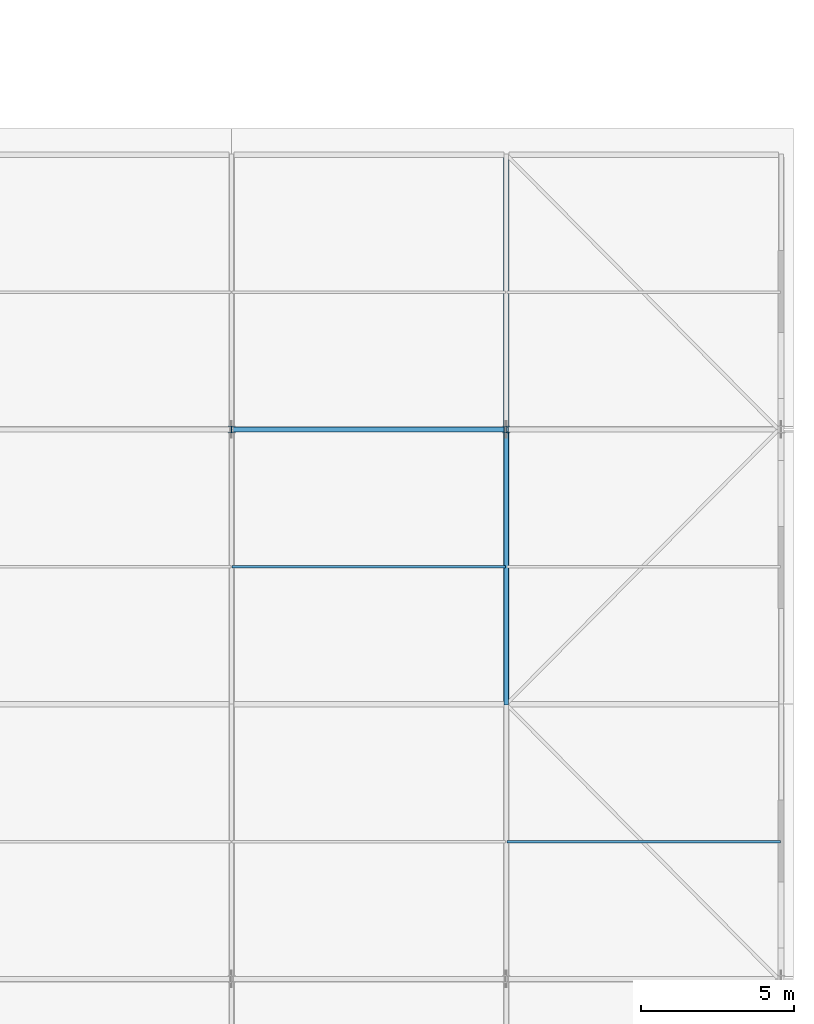
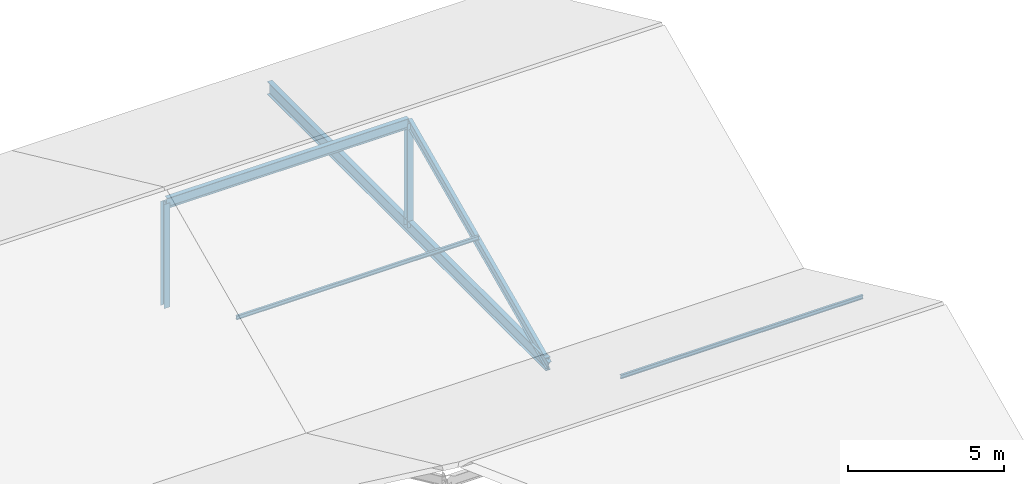
# One storey, part 88 of 163: 6 members, 1 beam.
"""IFC4 building model written with IfcOpenShell, lengths in metres."""

from ifc_helpers import new_model, si_unit, direction, frame, origin, origin_2d, place, context, subcontext, project, spatial, i_section, extrude, material, material_profile, profile_set, type_object, element, save


model = new_model("IFC4")

# Units and contexts
model_context = context("Model", 3, precision=1e-05, world=origin(), true_north=direction((0.0, 1.0)))
body_context = subcontext(model_context, "Body", "Model", "MODEL_VIEW")
ifc_project = project(units=[si_unit("LENGTHUNIT", "METRE"), si_unit("AREAUNIT", "SQUARE_METRE"), si_unit("VOLUMEUNIT", "CUBIC_METRE"), si_unit("PLANEANGLEUNIT", "RADIAN"), si_unit("MASSUNIT", "GRAM", prefix="KILO")], contexts=[model_context])

# Site, building, storey
site_placement = place(None, origin())
site = spatial("IfcSite", under=ifc_project, at=site_placement, CompositionType="ELEMENT")
building_placement = place(site_placement, origin())
building = spatial("IfcBuilding", under=site, at=building_placement, Name="Tharagai Park Tramway Depot", CompositionType="ELEMENT")
storey_placement = place(building_placement, frame((0.0, 0.0, 8.39990234375)))
storey = spatial("IfcBuildingStorey", under=building, at=storey_placement, Name="L02", CompositionType="ELEMENT", Elevation=8.39990234375)

# Beam
ifc_material_1 = material(Name="Steel E350", Category="steel")
ifc_material_profile_1 = material_profile(ifc_material_1, i_section(OverallWidth=0.179931640625, OverallDepth=0.5, WebThickness=0.01025390625, FlangeThickness=0.01708984375, FilletRadius=0.01708984375, at=origin_2d()), Name="ISMB 500")
ifc_profile_set_1 = profile_set([ifc_material_profile_1], Name="Steel E350")
beam_type = type_object("IfcBeamType", Name="BM-18", PredefinedType="BEAM", material=ifc_profile_set_1)
beam_placement = place(storey_placement, frame((207.0, 117.080078125, -0.5), z_axis=(0.0, 1.0, 0.0), x_axis=(-1.0, 0.0, 0.0)))
element("IfcBeam", 1, at=beam_placement, inside=storey, type_object=beam_type, Name="V3B2 Gable Tie Girder BM-18", PredefinedType="BEAM", context=body_context, shape_type="SweptSolid", body=[
    extrude(i_section(OverallWidth=0.179931640625, OverallDepth=0.5, WebThickness=0.01025390625, FlangeThickness=0.01708984375, FilletRadius=0.01708984375, at=origin_2d()), origin(), (0.0, 0.0, 1.0), 17.83984375),
])

# Members
ifc_material_profile_2 = material_profile(ifc_material_1, i_section(OverallWidth=0.22509765625, OverallDepth=0.22509765625, WebThickness=0.008544921875, FlangeThickness=0.009033203125, FilletRadius=0.010009765625, at=origin_2d()), Name="ISHB 225")
ifc_profile_set_2 = profile_set([ifc_material_profile_2], Name="Steel E350")
member_type_1 = type_object("IfcMemberType", Name="BR-02", PredefinedType="BRACE", material=ifc_profile_set_2)
for number, where, z_axis, x_axis, name in (
    (2, (198.0, 126.0, -0.5), (0.0, 0.0, 1.0), (1.0, 0.0, 0.0), "V3B2 Gable King Strut BR-02"),
    (3, (207.0, 126.0, -0.5), (0.0, 0.0, 1.0), (1.0, 0.0, 0.0), "V3B2 Gable King Strut BR-02"),
):
    element("IfcMember", number, at=place(storey_placement, frame(where, z_axis=z_axis, x_axis=x_axis)), inside=storey, type_object=member_type_1, Name=name, PredefinedType="BRACE", context=body_context, shape_type="SweptSolid", body=[
        extrude(i_section(OverallWidth=0.22509765625, OverallDepth=0.22509765625, WebThickness=0.008544921875, FlangeThickness=0.009033203125, FilletRadius=0.010009765625, at=origin_2d()), origin(), (0.0, 0.0, 1.0), 4.06982421875),
    ])
ifc_material_2 = material(Name="Steel E250", Category="steel")
ifc_material_profile_3 = material_profile(ifc_material_2, i_section(OverallWidth=0.080078125, OverallDepth=0.14990234375, WebThickness=0.0048828125, FlangeThickness=0.007568359375, FilletRadius=0.009033203125, at=origin_2d()), Name="ISMB 150")
ifc_profile_set_3 = profile_set([ifc_material_profile_3], Name="Steel E250")
member_type_2 = type_object("IfcMemberType", Name="PR-05", PredefinedType="PURLIN", material=ifc_profile_set_3)
for number, where, z_axis, x_axis, name in (
    (4, (207.02001953125, 112.5, 1.77392578125), (1.0, 0.0, 0.0), (0.0, 1.0, 0.0), "V3B1 Roof Purlin PR-05"),
    (5, (198.02001953125, 121.5, 1.77392578125), (1.0, 0.0, 0.0), (0.0, 1.0, 0.0), "V3B2 Roof Purlin PR-05"),
):
    element("IfcMember", number, at=place(storey_placement, frame(where, z_axis=z_axis, x_axis=x_axis)), inside=storey, type_object=member_type_2, Name=name, PredefinedType="PURLIN", context=body_context, shape_type="SweptSolid", body=[
        extrude(i_section(OverallWidth=0.080078125, OverallDepth=0.14990234375, WebThickness=0.0048828125, FlangeThickness=0.007568359375, FilletRadius=0.009033203125, at=origin_2d()), origin(), (0.0, 0.0, 1.0), 8.9599609375),
    ])
ifc_material_profile_4 = material_profile(ifc_material_1, i_section(OverallWidth=0.139892578125, OverallDepth=0.35009765625, WebThickness=0.008056640625, FlangeThickness=0.01416015625, FilletRadius=0.013916015625, at=origin_2d()), Name="ISMB 350")
ifc_profile_set_4 = profile_set([ifc_material_profile_4], Name="Steel E350")
member_type_3 = type_object("IfcMemberType", Name="RF-01", PredefinedType="RAFTER", material=ifc_profile_set_4)
member_1_placement = place(storey_placement, frame((207.0, 117.050048828125, -0.53173828125), z_axis=(0.0, 0.909083998875, 0.416612869448), x_axis=(-1.0, 0.0, 0.0)))
element("IfcMember", 6, at=member_1_placement, inside=storey, type_object=member_type_3, Name="V3B2 Pitched Rafter RF-01 South", PredefinedType="RAFTER", context=body_context, shape_type="SweptSolid", body=[
    extrude(i_section(OverallWidth=0.139892578125, OverallDepth=0.35009765625, WebThickness=0.008056640625, FlangeThickness=0.01416015625, FilletRadius=0.013916015625, at=origin_2d()), origin(), (0.0, 0.0, 1.0), 9.844970703125),
])
ifc_material_profile_5 = material_profile(ifc_material_1, i_section(OverallWidth=0.1650390625, OverallDepth=0.39990234375, WebThickness=0.008056640625, FlangeThickness=0.012451171875, FilletRadius=0.013916015625, at=origin_2d()), Name="ISLB 400")
ifc_profile_set_5 = profile_set([ifc_material_profile_5], Name="Steel E350")
member_type_4 = type_object("IfcMemberType", Name="TC-04", PredefinedType="CHORD", material=ifc_profile_set_5)
member_2_placement = place(storey_placement, frame((198.0400390625, 126.0, 3.544921875), z_axis=(1.0, 0.0, 0.0), x_axis=(0.0, 1.0, 0.0)))
element("IfcMember", 7, at=member_2_placement, inside=storey, type_object=member_type_4, Name="V3B2 Roof Ridge Chord TC-04", PredefinedType="CHORD", context=body_context, shape_type="SweptSolid", body=[
    extrude(i_section(OverallWidth=0.1650390625, OverallDepth=0.39990234375, WebThickness=0.008056640625, FlangeThickness=0.012451171875, FilletRadius=0.013916015625, at=origin_2d()), origin(), (0.0, 0.0, 1.0), 8.919921875),
])

save(model, "model.ifc")
